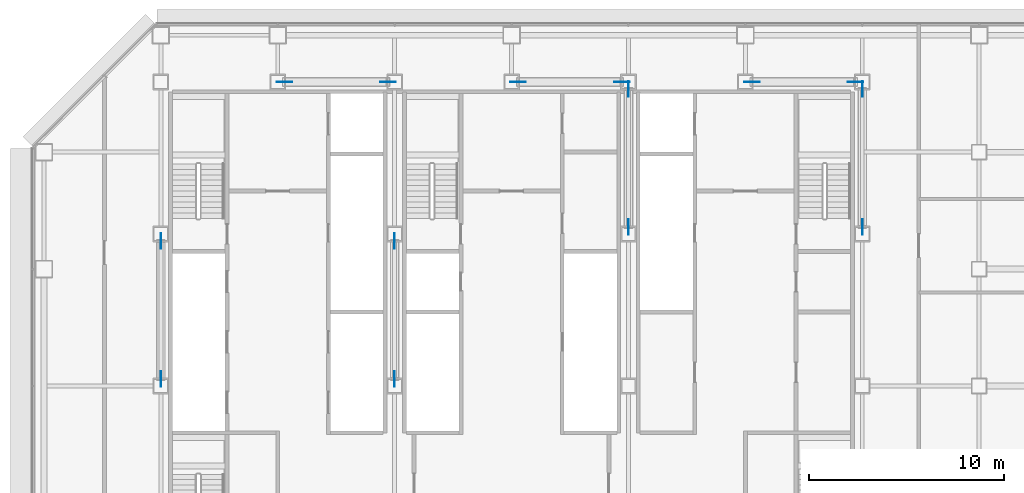
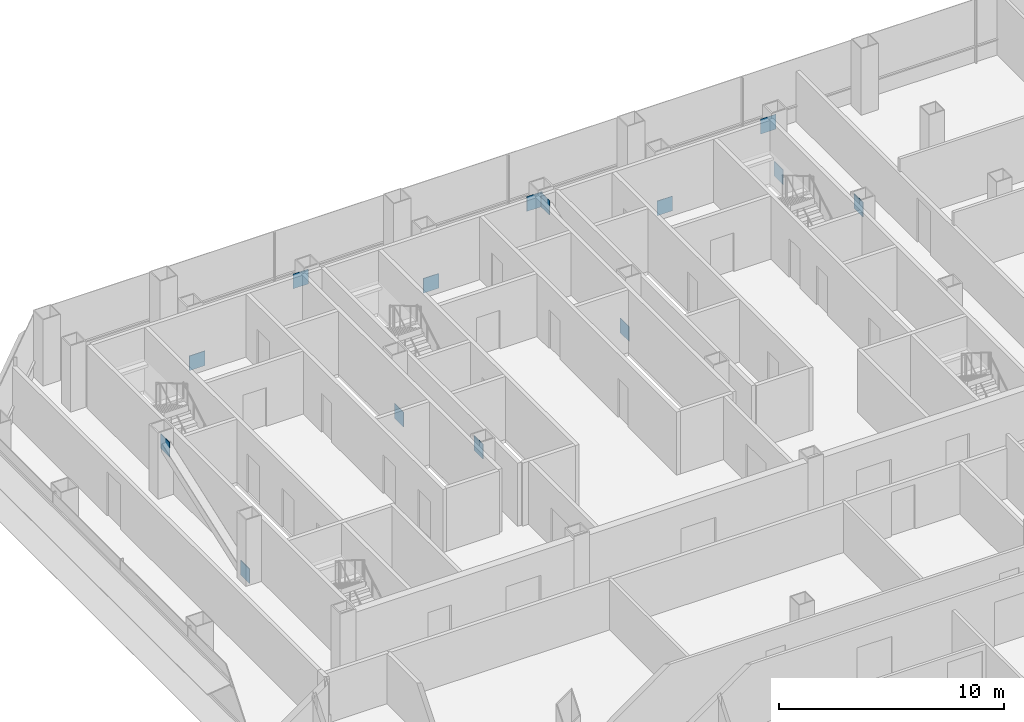
# One storey, part 25 of 27: 14 discrete accessories.
"""IFC4 building model written with IfcOpenShell, lengths in metres."""

import ifcopenshell
import ifcopenshell.guid

model = None  # the IFC model being written
_history = None  # IfcOwnerHistory: only IFC2X3 demands one
_inside = {}  # id of a spatial element -> (the spatial element, [elements in it])
_under = {}  # id of a project, library or spatial element -> (it, [spatial elements below it])
_declared = {}  # id of a project -> (the project, [libraries it declares])
_typed = {}  # id of a type object -> (the type object, [elements of that type])
_made_of = {}  # id of a material, layer set ... -> (it, [elements and type objects made of it])


def new_model(schema):
    """Start an empty IFC model of exactly this schema.

    Asked for "IFC4X3", IfcOpenShell would pick the latest addendum, in which some entities
    have other attributes; the version numbers below select the first issue.
    IFC2X3 requires an IfcOwnerHistory on every rooted entity: one is made here for all.
    """
    global model, _history
    if schema == "IFC4X3":
        model = ifcopenshell.file(schema_version=(4, 3, 0, 0))
    else:
        model = ifcopenshell.file(schema=schema)
    _inside.clear()
    _under.clear()
    _declared.clear()
    _typed.clear()
    _made_of.clear()
    _history = None
    if model.schema == "IFC2X3":
        org = make("IfcOrganization", Name="unknown")
        user = make(
            "IfcPersonAndOrganization",
            ThePerson=make("IfcPerson", FamilyName="unknown"),
            TheOrganization=org,
        )
        app = make(
            "IfcApplication",
            ApplicationDeveloper=org,
            Version="unknown",
            ApplicationFullName="unknown",
            ApplicationIdentifier="unknown",
        )
        _history = make(
            "IfcOwnerHistory",
            OwningUser=user,
            OwningApplication=app,
            ChangeAction="ADDED",
            CreationDate=0,
        )
    return model


def make(cls, **values):
    """One entity of the class cls with the attributes given. An attribute that is None is left unset."""
    return model.create_entity(
        cls, **{name: value for name, value in values.items() if value is not None}
    )


def rooted(cls, **values):
    """An entity with a GlobalId (a new one), such as an element, a storey or a relation."""
    return make(cls, GlobalId=ifcopenshell.guid.new(), OwnerHistory=_history, **values)


def si_unit(unit_type, name, prefix=None):
    """IfcSIUnit, for example si_unit("LENGTHUNIT", "METRE", prefix="MILLI")."""
    return make("IfcSIUnit", UnitType=unit_type, Prefix=prefix, Name=name)


def assignment(units):
    """IfcUnitAssignment: the units of a project."""
    return None if units is None else make("IfcUnitAssignment", Units=units)


def point(xyz):
    """IfcCartesianPoint."""
    return None if xyz is None else make("IfcCartesianPoint", Coordinates=xyz)


def direction(xyz):
    """IfcDirection."""
    return None if xyz is None else make("IfcDirection", DirectionRatios=xyz)


def frame(location, z_axis=None, x_axis=None):
    """IfcAxis2Placement3D, a coordinate frame: its origin and axes. An axis left out is left unset."""
    return make(
        "IfcAxis2Placement3D",
        Location=point(location),
        Axis=direction(z_axis),
        RefDirection=direction(x_axis),
    )


def frame_2d(location, x_axis=None):
    """IfcAxis2Placement2D, a coordinate frame in the plane: its origin and x axis."""
    return make(
        "IfcAxis2Placement2D", Location=point(location), RefDirection=direction(x_axis)
    )


def origin():
    """The frame at (0, 0, 0) with its axes left unset."""
    return frame((0.0, 0.0, 0.0))


def origin_2d():
    """The frame at (0, 0) in the plane with its x axis left unset."""
    return frame_2d((0.0, 0.0))


def place(relative_to, where):
    """IfcLocalPlacement: puts the frame where relative to a parent placement (None: the world)."""
    return make(
        "IfcLocalPlacement", PlacementRelTo=relative_to, RelativePlacement=where
    )


def context(
    kind, dimensions, precision=None, world=None, true_north=None, identifier=None
):
    """IfcGeometricRepresentationContext, for example the 3D "Model" context."""
    return make(
        "IfcGeometricRepresentationContext",
        ContextIdentifier=identifier,
        ContextType=kind,
        CoordinateSpaceDimension=dimensions,
        Precision=precision,
        WorldCoordinateSystem=world,
        TrueNorth=true_north,
    )


def subcontext(parent, identifier, kind, view, scale=None):
    """IfcGeometricRepresentationSubContext, for example "Body" below "Model"."""
    return make(
        "IfcGeometricRepresentationSubContext",
        ContextIdentifier=identifier,
        ContextType=kind,
        ParentContext=parent,
        TargetScale=scale,
        TargetView=view,
    )


def project(units=None, contexts=None):
    """IfcProject with its units and contexts."""
    return rooted(
        "IfcProject",
        Name="project",
        RepresentationContexts=contexts,
        UnitsInContext=assignment(units),
    )


def spatial(cls, under=None, at=None, **own):
    """A site, building, storey or space (cls), placed at a placement, below another one or the project."""
    s = rooted(cls, ObjectPlacement=at, **own)
    if under is not None:
        _under.setdefault(under.id(), (under, []))[1].append(s)
    return s


def profile(cls, at=None, kind="AREA", **sizes):
    """A parametric profile (cls). Its sizes go by their IFC names, for example OverallWidth=200.0."""
    return make(cls, ProfileType=kind, Position=at, **sizes)


def rectangle(**sizes):
    """IfcRectangleProfileDef."""
    return profile("IfcRectangleProfileDef", **sizes)


def extrude(swept, where, along, depth):
    """IfcExtrudedAreaSolid: the profile swept, set in the frame where, extruded along a direction by depth."""
    return make(
        "IfcExtrudedAreaSolid",
        SweptArea=swept,
        Position=where,
        ExtrudedDirection=direction(along),
        Depth=depth,
    )


def shape(context_of_items, identifier, shape_type, items):
    """IfcShapeRepresentation: the items that make up one representation, for example the "Body"."""
    return make(
        "IfcShapeRepresentation",
        ContextOfItems=context_of_items,
        RepresentationIdentifier=identifier,
        RepresentationType=shape_type,
        Items=items,
    )


def material(Name=None, Category=None):
    """IfcMaterial."""
    return make("IfcMaterial", Name=Name, Category=Category)


def layer(
    of_material, thickness, ventilated=None, Name=None, Category=None, Priority=None
):
    """IfcMaterialLayer: one layer of a wall or slab, of a material (None: an air gap)."""
    return make(
        "IfcMaterialLayer",
        Material=of_material,
        LayerThickness=thickness,
        IsVentilated=ventilated,
        Name=Name,
        Category=Category,
        Priority=Priority,
    )


def layer_set(layers, Name=None):
    """IfcMaterialLayerSet."""
    return make("IfcMaterialLayerSet", MaterialLayers=layers, LayerSetName=Name)


def made_of(thing, what):
    """Note that an element or type object is made of a material, layer set ...; save() writes the relation."""
    if what is not None:
        _made_of.setdefault(what.id(), (what, []))[1].append(thing)
    return thing


def type_object(cls, material=None, **own):
    """A type object (cls), such as IfcWallType, which elements share."""
    return made_of(rooted(cls, **own), material)


def element(
    cls,
    number,
    at=None,
    inside=None,
    cuts=None,
    type_object=None,
    material=None,
    context=None,
    identifier="Body",
    shape_type=None,
    held_by="IfcProductDefinitionShape",
    body=None,
    shapes=None,
    **own,
):
    """One element of the class cls, such as IfcWall. Its Tag is "e" and its number.

    at: its placement. inside: the storey or other place that contains it. cuts: it is an
    opening in that element (IfcRelVoidsElement). A single representation is given by context,
    identifier, shape_type and body (its items); several are given by shapes. held_by: the class
    of the entity that holds the representations. save() writes the other relations.
    """
    e = rooted(cls, Tag="e%d" % number, ObjectPlacement=at, **own)
    if body is not None:
        shapes = [shape(context, identifier, shape_type, body)]
    if shapes is not None:
        e.Representation = make(held_by, Representations=shapes)
    if inside is not None:
        _inside.setdefault(inside.id(), (inside, []))[1].append(e)
    if cuts is not None:
        rooted(
            "IfcRelVoidsElement", RelatingBuildingElement=cuts, RelatedOpeningElement=e
        )
    if type_object is not None:
        _typed.setdefault(type_object.id(), (type_object, []))[1].append(e)
    return made_of(e, material)


def aggregate(whole, parts):
    """IfcRelAggregates: a whole, such as a stair, and the parts it consists of."""
    return rooted("IfcRelAggregates", RelatingObject=whole, RelatedObjects=parts)


def save(model, path):
    """Write the relations noted so far, then the file.

    IfcRelAggregates (storeys below a building ...), IfcRelContainedInSpatialStructure (elements
    in a storey), IfcRelDefinesByType, IfcRelAssociatesMaterial and IfcRelDeclares: one each for
    every whole, place, type object, material and project.
    """
    for whole, parts in _under.values():
        aggregate(whole, parts)
    for where, things in _inside.values():
        rooted(
            "IfcRelContainedInSpatialStructure",
            RelatedElements=things,
            RelatingStructure=where,
        )
    for kind, things in _typed.values():
        rooted("IfcRelDefinesByType", RelatedObjects=things, RelatingType=kind)
    for what, things in _made_of.values():
        rooted("IfcRelAssociatesMaterial", RelatedObjects=things, RelatingMaterial=what)
    for by, libraries in _declared.values():
        rooted("IfcRelDeclares", RelatingContext=by, RelatedDefinitions=libraries)
    model.write(path)


model = new_model("IFC4")

# Units and contexts
model_context = context("Model", 3, precision=1e-05, world=origin(), true_north=direction((0.0, 1.0)))
body_context = subcontext(model_context, "Body", "Model", "MODEL_VIEW")
ifc_project = project(units=[si_unit("LENGTHUNIT", "METRE"), si_unit("AREAUNIT", "SQUARE_METRE"), si_unit("VOLUMEUNIT", "CUBIC_METRE"), si_unit("PLANEANGLEUNIT", "RADIAN"), si_unit("MASSUNIT", "GRAM", prefix="KILO")], contexts=[model_context])

# Site, building, storey
site_placement = place(None, origin())
site = spatial("IfcSite", under=ifc_project, at=site_placement, CompositionType="ELEMENT")
building_placement = place(site_placement, origin())
building = spatial("IfcBuilding", under=site, at=building_placement, Name="Sorahane Residences", CompositionType="ELEMENT")
storey_placement = place(building_placement, frame((0.0, 0.0, 57.0)))
storey = spatial("IfcBuildingStorey", under=building, at=storey_placement, Name="L10", CompositionType="ELEMENT", Elevation=57.0)

# Discrete accessories
ifc_material = material(Name="Steel Q355B", Category="steel")
ifc_layer = layer(ifc_material, 0.02490234375)
ifc_layer_set = layer_set([ifc_layer], Name="Node plate Steel Q355B 25")
discrete_accessory_type = type_object("IfcDiscreteAccessoryType", Name="Node plate Steel Q355B 25", PredefinedType="BRACKET", material=ifc_layer_set)
for number, where, z_axis, x_axis, name in (
    (1, (6.0, 30.354248046875, -0.19140625), (0.0, 0.0, 1.0), (0.0, 1.0, 0.0), "Node plate L10 br"),
    (2, (6.0, 37.44580078125, 2.361328125), (0.0, 0.0, 1.0), (0.0, 1.0, 0.0), "Node plate L10 br"),
    (3, (18.0, 37.44580078125, -0.19140625), (0.0, 0.0, 1.0), (0.0, 1.0, 0.0), "Node plate L10 br"),
    (4, (18.0, 30.354248046875, 2.361328125), (0.0, 0.0, 1.0), (0.0, 1.0, 0.0), "Node plate L10 br"),
    (5, (30.0, 38.154296875, -0.19140625), (0.0, 0.0, 1.0), (0.0, 1.0, 0.0), "Node plate L10 br"),
    (6, (30.0, 45.24560546875, 2.361328125), (0.0, 0.0, 1.0), (0.0, 1.0, 0.0), "Node plate L10 br"),
    (7, (42.0, 45.24560546875, -0.19140625), (0.0, 0.0, 1.0), (0.0, 1.0, 0.0), "Node plate L10 br"),
    (8, (42.0, 38.154296875, 2.361328125), (0.0, 0.0, 1.0), (0.0, 1.0, 0.0), "Node plate L10 br"),
    (9, (12.341064453125, 45.60009765625, -0.20361328125), (0.0, 0.0, 1.0), (1.0, 0.0, 0.0), "Node plate L10 br"),
    (10, (24.341064453125, 45.60009765625, -0.20361328125), (0.0, 0.0, 1.0), (1.0, 0.0, 0.0), "Node plate L10 br"),
    (11, (36.341064453125, 45.60009765625, -0.20361328125), (0.0, 0.0, 1.0), (1.0, 0.0, 0.0), "Node plate L10 br"),
    (12, (17.658935546875, 45.60009765625, 2.37353515625), (0.0, 0.0, 1.0), (1.0, 0.0, 0.0), "Node plate L10 br"),
    (13, (29.658935546875, 45.60009765625, 2.37353515625), (0.0, 0.0, 1.0), (1.0, 0.0, 0.0), "Node plate L10 br"),
    (14, (41.658935546875, 45.60009765625, 2.37353515625), (0.0, 0.0, 1.0), (1.0, 0.0, 0.0), "Node plate L10 br"),
):
    element("IfcDiscreteAccessory", number, at=place(storey_placement, frame(where, z_axis=z_axis, x_axis=x_axis)), inside=storey, type_object=discrete_accessory_type, Name=name, PredefinedType="BRACKET", context=body_context, shape_type="SweptSolid", body=[
        extrude(rectangle(XDim=0.800048828125, YDim=0.02490234375, at=origin_2d()), origin(), (0.0, 0.0, 1.0), 0.800048828125),
    ])

save(model, "model.ifc")
